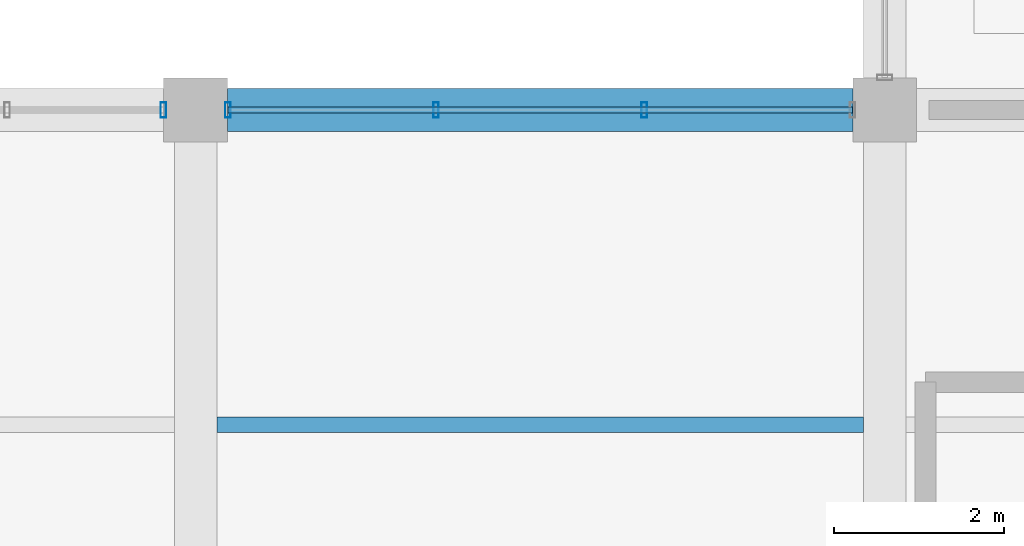
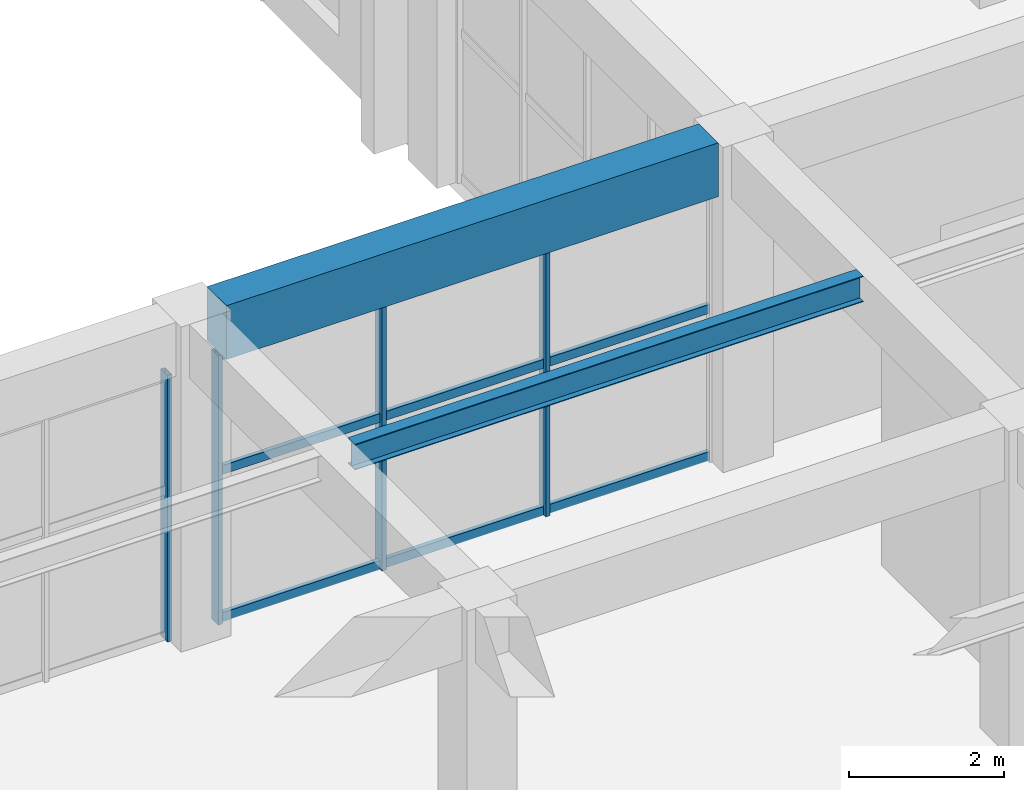
# One storey, part 13 of 140: 7 members, 2 beams, 2 elements without a shape of their own.
"""IFC4 building model written with IfcOpenShell, lengths in metres."""

from ifc_helpers import new_model, si_unit, direction, frame, origin, origin_2d, place, context, subcontext, project, spatial, rectangle, hollow_rectangle, i_section, extrude, material, material_profile, profile_set, type_object, element, aggregate, save


model = new_model("IFC4")

# Units and contexts
model_context = context("Model", 3, precision=1e-05, world=origin(), true_north=direction((0.0, 1.0)))
body_context = subcontext(model_context, "Body", "Model", "MODEL_VIEW")
ifc_project = project(units=[si_unit("LENGTHUNIT", "METRE"), si_unit("AREAUNIT", "SQUARE_METRE"), si_unit("VOLUMEUNIT", "CUBIC_METRE"), si_unit("PLANEANGLEUNIT", "RADIAN"), si_unit("MASSUNIT", "GRAM", prefix="KILO")], contexts=[model_context])

# Site, building, storey
site_placement = place(None, origin())
site = spatial("IfcSite", under=ifc_project, at=site_placement, CompositionType="ELEMENT")
building_placement = place(site_placement, origin())
building = spatial("IfcBuilding", under=site, at=building_placement, Name="Cimatlan Art Gallery", CompositionType="ELEMENT")
storey_placement = place(building_placement, origin())
storey = spatial("IfcBuildingStorey", under=building, at=storey_placement, Name="L00", CompositionType="ELEMENT", Elevation=0.0)

# Beams
ifc_material_1 = material(Name="Concrete C40/50", Category="concrete")
ifc_material_profile_1 = material_profile(ifc_material_1, rectangle(XDim=0.5, YDim=0.85009765625, at=origin_2d()), Name="RC500X850")
ifc_profile_set_1 = profile_set([ifc_material_profile_1], Name="Concrete C40/50")
beam_type_1 = type_object("IfcBeamType", Name="BM-RC-500X850", PredefinedType="BEAM", material=ifc_profile_set_1)
beam_1_placement = place(storey_placement, frame((26.675048828125, 38.699951171875, 4.7099609375), z_axis=(1.0, 0.0, 0.0), x_axis=(0.0, 1.0, 0.0)))
element("IfcBeam", 1, at=beam_1_placement, inside=storey, type_object=beam_type_1, Name="BM-X-L00-03-05", PredefinedType="BEAM", context=body_context, shape_type="SweptSolid", body=[
    extrude(rectangle(XDim=0.5, YDim=0.85009765625, at=origin_2d()), origin(), (0.0, 0.0, 1.0), 7.349853515625),
])
ifc_material_2 = material(Name="Steel ASTM A992 Grade 50", Category="steel")
ifc_material_profile_2 = material_profile(ifc_material_2, i_section(OverallWidth=0.177978515625, OverallDepth=0.406982421875, WebThickness=0.0078125, FlangeThickness=0.0126953125, at=origin_2d()), Name="W16X40")
ifc_profile_set_2 = profile_set([ifc_material_profile_2], Name="Steel ASTM A992 Grade 50")
beam_type_2 = type_object("IfcBeamType", Name="BM-STL-W16X40", PredefinedType="JOIST", material=ifc_profile_set_2)
beam_2_placement = place(storey_placement, frame((26.550048828125, 35.0, 4.931396484375), z_axis=(1.0, 0.0, 0.0), x_axis=(0.0, 1.0, 0.0)))
element("IfcBeam", 2, at=beam_2_placement, inside=storey, type_object=beam_type_2, Name="JST-L00-03-04", PredefinedType="JOIST", context=body_context, shape_type="SweptSolid", body=[
    extrude(i_section(OverallWidth=0.177978515625, OverallDepth=0.406982421875, WebThickness=0.0078125, FlangeThickness=0.0126953125, at=origin_2d()), origin(), (0.0, 0.0, 1.0), 7.599853515625),
])

# Curtain wall, member
ifc_material_3 = material(Name="Anodised bronze unitised curtain wall")
curtain_wall_type_1 = type_object("IfcCurtainWallType", Name="CW-V-07342X04210-B4", PredefinedType="NOTDEFINED", material=ifc_material_3)
curtain_wall_1_placement = place(storey_placement, origin())
curtain_wall_1 = element("IfcCurtainWall", 3, at=curtain_wall_1_placement, inside=storey, type_object=curtain_wall_type_1, Name="CW-L00-02-04-N", PredefinedType="NOTDEFINED")
ifc_material_4 = material(Name="Anodised bronze aluminium 6063-T6", Category="aluminium")
ifc_material_profile_3 = material_profile(ifc_material_4, hollow_rectangle(XDim=0.06494140625, YDim=0.179931640625, WallThickness=0.00390625, at=origin_2d()), Name="ALU65X180X4")
ifc_profile_set_3 = profile_set([ifc_material_profile_3], Name="Anodised bronze aluminium 6063-T6")
member_type_1 = type_object("IfcMemberType", Name="CW-MUL-180", PredefinedType="MULLION", material=ifc_profile_set_3)
member_1_placement = place(storey_placement, frame((25.9208984375, 38.699951171875, 0.0), z_axis=(0.0, 0.0, 1.0), x_axis=(1.0, 0.0, 0.0)))
member_1 = element("IfcMember", 4, at=member_1_placement, type_object=member_type_1, Name="CW-L00-02-04-N-M5", PredefinedType="MULLION", context=body_context, shape_type="SweptSolid", body=[
    extrude(hollow_rectangle(XDim=0.06494140625, YDim=0.179931640625, WallThickness=0.00390625, at=origin_2d()), origin(), (0.0, 0.0, 1.0), 4.2099609375),
])
aggregate(curtain_wall_1, [member_1])

# Curtain wall, members
curtain_wall_type_2 = type_object("IfcCurtainWallType", Name="CW-V-07342X04255-B3", PredefinedType="NOTDEFINED", material=ifc_material_3)
curtain_wall_2_placement = place(storey_placement, origin())
curtain_wall_2 = element("IfcCurtainWall", 5, at=curtain_wall_2_placement, inside=storey, type_object=curtain_wall_type_2, Name="CW-L00-03-04-N", PredefinedType="NOTDEFINED")
member_2_placement = place(storey_placement, frame((26.678955078125, 38.699951171875, 0.0), z_axis=(0.0, 0.0, 1.0), x_axis=(1.0, 0.0, 0.0)))
member_2 = element("IfcMember", 6, at=member_2_placement, type_object=member_type_1, Name="CW-L00-03-04-N-M1", PredefinedType="MULLION", context=body_context, shape_type="SweptSolid", body=[
    extrude(hollow_rectangle(XDim=0.06494140625, YDim=0.179931640625, WallThickness=0.00390625, at=origin_2d()), origin(), (0.0, 0.0, 1.0), 4.2548828125),
])
member_3_placement = place(storey_placement, frame((29.126220703125, 38.699951171875, 0.0), z_axis=(0.0, 0.0, 1.0), x_axis=(1.0, 0.0, 0.0)))
member_3 = element("IfcMember", 7, at=member_3_placement, type_object=member_type_1, Name="CW-L00-03-04-N-M2", PredefinedType="MULLION", context=body_context, shape_type="SweptSolid", body=[
    extrude(hollow_rectangle(XDim=0.06494140625, YDim=0.179931640625, WallThickness=0.00390625, at=origin_2d()), origin(), (0.0, 0.0, 1.0), 4.2548828125),
])
member_4_placement = place(storey_placement, frame((31.57373046875, 38.699951171875, 0.0), z_axis=(0.0, 0.0, 1.0), x_axis=(1.0, 0.0, 0.0)))
member_4 = element("IfcMember", 8, at=member_4_placement, type_object=member_type_1, Name="CW-L00-03-04-N-M3", PredefinedType="MULLION", context=body_context, shape_type="SweptSolid", body=[
    extrude(hollow_rectangle(XDim=0.06494140625, YDim=0.179931640625, WallThickness=0.00390625, at=origin_2d()), origin(), (0.0, 0.0, 1.0), 4.2548828125),
])
ifc_material_profile_4 = material_profile(ifc_material_4, hollow_rectangle(XDim=0.06494140625, YDim=0.139892578125, WallThickness=0.00390625, at=origin_2d()), Name="ALU65X140X4")
ifc_profile_set_4 = profile_set([ifc_material_profile_4], Name="Anodised bronze aluminium 6063-T6")
member_type_2 = type_object("IfcMemberType", Name="CW-TRN-140", PredefinedType="USERDEFINED", material=ifc_profile_set_4)
member_5_placement = place(storey_placement, frame((26.678955078125, 38.699951171875, 0.06005859375), z_axis=(1.0, 0.0, 0.0), x_axis=(0.0, 1.0, 0.0)))
member_5 = element("IfcMember", 9, at=member_5_placement, type_object=member_type_2, Name="CW-L00-03-04-N-T1", ObjectType="TRANSOM", PredefinedType="USERDEFINED", context=body_context, shape_type="SweptSolid", body=[
    extrude(hollow_rectangle(XDim=0.06494140625, YDim=0.139892578125, WallThickness=0.00390625, at=origin_2d()), origin(), (0.0, 0.0, 1.0), 7.342041015625),
])
member_6_placement = place(storey_placement, frame((26.678955078125, 38.699951171875, 2.3828125), z_axis=(1.0, 0.0, 0.0), x_axis=(0.0, 1.0, 0.0)))
member_6 = element("IfcMember", 10, at=member_6_placement, type_object=member_type_2, Name="CW-L00-03-04-N-T2", ObjectType="TRANSOM", PredefinedType="USERDEFINED", context=body_context, shape_type="SweptSolid", body=[
    extrude(hollow_rectangle(XDim=0.06494140625, YDim=0.139892578125, WallThickness=0.00390625, at=origin_2d()), origin(), (0.0, 0.0, 1.0), 7.342041015625),
])
member_7_placement = place(storey_placement, frame((26.678955078125, 38.699951171875, 4.195068359375), z_axis=(1.0, 0.0, 0.0), x_axis=(0.0, 1.0, 0.0)))
member_7 = element("IfcMember", 11, at=member_7_placement, type_object=member_type_2, Name="CW-L00-03-04-N-T3", ObjectType="TRANSOM", PredefinedType="USERDEFINED", context=body_context, shape_type="SweptSolid", body=[
    extrude(hollow_rectangle(XDim=0.06494140625, YDim=0.139892578125, WallThickness=0.00390625, at=origin_2d()), origin(), (0.0, 0.0, 1.0), 7.342041015625),
])
aggregate(curtain_wall_2, [member_2, member_3, member_4, member_5, member_6, member_7])

save(model, "model.ifc")
